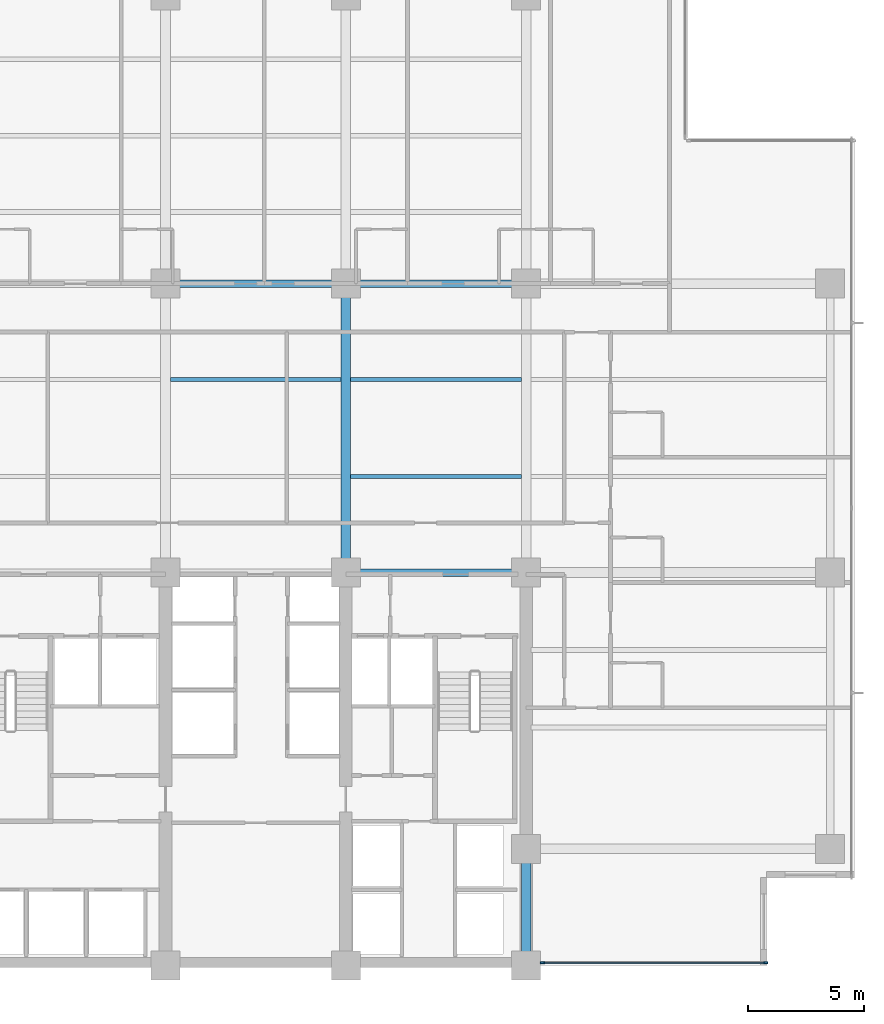
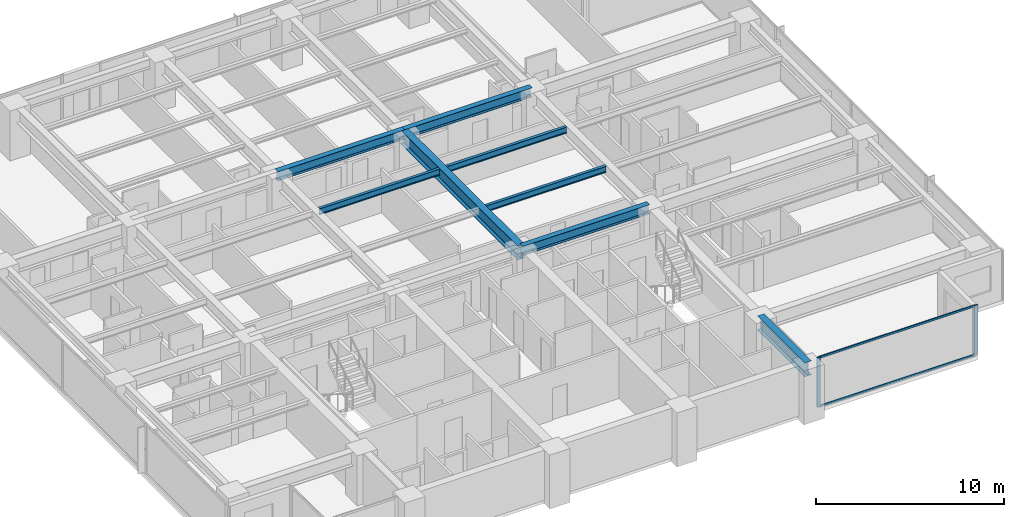
# One storey, part 3 of 17: 8 beams, 4 members, 1 element without a shape of its own.
"""IFC4 building model written with IfcOpenShell, lengths in metres."""

from ifc_helpers import new_model, si_unit, direction, frame, origin, origin_2d, place, context, subcontext, project, spatial, rectangle, i_section, extrude, material, layer, layer_set, material_profile, profile_set, type_object, element, aggregate, save


model = new_model("IFC4")

# Units and contexts
model_context = context("Model", 3, precision=1e-05, world=origin(), true_north=direction((0.0, 1.0)))
body_context = subcontext(model_context, "Body", "Model", "MODEL_VIEW")
ifc_project = project(units=[si_unit("LENGTHUNIT", "METRE"), si_unit("AREAUNIT", "SQUARE_METRE"), si_unit("VOLUMEUNIT", "CUBIC_METRE"), si_unit("PLANEANGLEUNIT", "RADIAN"), si_unit("MASSUNIT", "GRAM", prefix="KILO")], contexts=[model_context])

# Site, building, storey
site_placement = place(None, origin())
site = spatial("IfcSite", under=ifc_project, at=site_placement, CompositionType="ELEMENT")
building_placement = place(site_placement, origin())
building = spatial("IfcBuilding", under=site, at=building_placement, Name="Qalmaran Belvedere Hotel", CompositionType="ELEMENT")
storey_placement = place(building_placement, frame((0.0, 0.0, 105.699951171875)))
storey = spatial("IfcBuildingStorey", under=building, at=storey_placement, Name="L26", CompositionType="ELEMENT", Elevation=105.699951171875)

# Beams
ifc_material_1 = material(Name="Steel S355JR", Category="steel")
ifc_material_profile_1 = material_profile(ifc_material_1, i_section(OverallWidth=0.41796875, OverallDepth=0.912109375, WebThickness=0.019287109375, FlangeThickness=0.031982421875, FilletRadius=0.02392578125, at=origin_2d()), Name="W920X342")
ifc_profile_set_1 = profile_set([ifc_material_profile_1], Name="Steel S355JR")
beam_type_1 = type_object("IfcBeamType", Name="BM-PG2-W920X342", PredefinedType="USERDEFINED", material=ifc_profile_set_1)
beam_1_placement = place(storey_placement, frame((37.0, 20.5, 2.783935546875), z_axis=(0.0, 1.0, 0.0), x_axis=(-1.0, 0.0, 0.0)))
element("IfcBeam", 1, at=beam_1_placement, inside=storey, type_object=beam_type_1, Name="L26 Mid-Plate N-S Girder 18", ObjectType="GIRDER", PredefinedType="USERDEFINED", context=body_context, shape_type="SweptSolid", body=[
    extrude(i_section(OverallWidth=0.41796875, OverallDepth=0.912109375, WebThickness=0.019287109375, FlangeThickness=0.031982421875, FilletRadius=0.02392578125, at=origin_2d()), origin(), (0.0, 0.0, 1.0), 12.5),
])
beam_2_placement = place(storey_placement, frame((44.800048828125, 3.5, 2.783935546875), z_axis=(0.0, 1.0, 0.0), x_axis=(-1.0, 0.0, 0.0)))
element("IfcBeam", 2, at=beam_2_placement, inside=storey, type_object=beam_type_1, Name="L26 East Core Edge Girder A", ObjectType="GIRDER", PredefinedType="USERDEFINED", context=body_context, shape_type="SweptSolid", body=[
    extrude(i_section(OverallWidth=0.41796875, OverallDepth=0.912109375, WebThickness=0.019287109375, FlangeThickness=0.031982421875, FilletRadius=0.02392578125, at=origin_2d()), origin(), (0.0, 0.0, 1.0), 5.050048828125),
])
ifc_material_profile_2 = material_profile(ifc_material_1, i_section(OverallWidth=0.177978515625, OverallDepth=0.406982421875, WebThickness=0.0078125, FlangeThickness=0.0126953125, FilletRadius=0.014892578125, at=origin_2d()), Name="W410X60")
ifc_profile_set_2 = profile_set([ifc_material_profile_2], Name="Steel S355JR")
beam_type_2 = type_object("IfcBeamType", Name="BM-SB2-W410X60", PredefinedType="BEAM", material=ifc_profile_set_2)
for number, where, z_axis, x_axis, name in (
    (3, (37.20703125, 24.64990234375, 3.03662109375), (1.0, 0.0, 0.0), (0.0, 1.0, 0.0), "L26 Secondary Floor Beam 031"),
    (4, (29.406982421875, 28.85009765625, 3.03662109375), (1.0, 0.0, 0.0), (0.0, 1.0, 0.0), "L26 Secondary Floor Beam 035"),
    (5, (37.20703125, 28.85009765625, 3.03662109375), (1.0, 0.0, 0.0), (0.0, 1.0, 0.0), "L26 Secondary Floor Beam 036"),
):
    element("IfcBeam", number, at=place(storey_placement, frame(where, z_axis=z_axis, x_axis=x_axis)), inside=storey, type_object=beam_type_2, Name=name, PredefinedType="BEAM", context=body_context, shape_type="SweptSolid", body=[
        extrude(i_section(OverallWidth=0.177978515625, OverallDepth=0.406982421875, WebThickness=0.0078125, FlangeThickness=0.0126953125, FilletRadius=0.014892578125, at=origin_2d()), origin(), (0.0, 0.0, 1.0), 7.385986328125),
    ])
ifc_material_profile_3 = material_profile(ifc_material_1, i_section(OverallWidth=0.323974609375, OverallDepth=0.611083984375, WebThickness=0.0126953125, FlangeThickness=0.01904296875, FilletRadius=0.02001953125, at=origin_2d()), Name="W610X155")
ifc_profile_set_3 = profile_set([ifc_material_profile_3], Name="Steel S355JR")
beam_type_3 = type_object("IfcBeamType", Name="BM-Z2-W610X155", PredefinedType="USERDEFINED", material=ifc_profile_set_3)
for number, where, z_axis, x_axis, name in (
    (6, (37.0, 20.5, 2.9345703125), (1.0, 0.0, 0.0), (0.0, 1.0, 0.0), "L26 Interior E-W Girder 10"),
    (7, (29.199951171875, 33.0, 2.9345703125), (1.0, 0.0, 0.0), (0.0, 1.0, 0.0), "L26 Interior E-W Girder 12"),
    (8, (37.0, 33.0, 2.9345703125), (1.0, 0.0, 0.0), (0.0, 1.0, 0.0), "L26 Interior E-W Girder 13"),
):
    element("IfcBeam", number, at=place(storey_placement, frame(where, z_axis=z_axis, x_axis=x_axis)), inside=storey, type_object=beam_type_3, Name=name, ObjectType="GIRDER", PredefinedType="USERDEFINED", context=body_context, shape_type="SweptSolid", body=[
        extrude(i_section(OverallWidth=0.323974609375, OverallDepth=0.611083984375, WebThickness=0.0126953125, FlangeThickness=0.01904296875, FilletRadius=0.02001953125, at=origin_2d()), origin(), (0.0, 0.0, 1.0), 7.800048828125),
    ])

# Curtain wall, members
ifc_material_2 = material(Name="Anodised Bronze Aluminium", Category="aluminium")
ifc_layer = layer(ifc_material_2, 0.199951171875, Name="Anodised Bronze Aluminium")
ifc_layer_set = layer_set([ifc_layer], Name="Anodised Bronze Aluminium")
curtain_wall_type = type_object("IfcCurtainWallType", Name="CW3-TOWER-LOWMID", PredefinedType="NOTDEFINED", material=ifc_layer_set)
curtain_wall_placement = place(storey_placement, origin())
curtain_wall = element("IfcCurtainWall", 9, at=curtain_wall_placement, inside=storey, type_object=curtain_wall_type, Name="L26 Curtain Wall CW3", PredefinedType="NOTDEFINED")
ifc_material_profile_4 = material_profile(ifc_material_2, rectangle(XDim=0.070068359375, YDim=0.18994140625, at=origin_2d()), Name="CWM70X190")
ifc_profile_set_4 = profile_set([ifc_material_profile_4], Name="Anodised Bronze Aluminium")
member_type_1 = type_object("IfcMemberType", Name="CWM-70X190", PredefinedType="MULLION", material=ifc_profile_set_4)
member_1_placement = place(storey_placement, frame((45.5, 3.6201171875, 0.0), z_axis=(0.0, 0.0, 1.0), x_axis=(0.0, 1.0, 0.0)))
member_1 = element("IfcMember", 10, at=member_1_placement, type_object=member_type_1, Name="CW3 mullion 1", PredefinedType="MULLION", context=body_context, shape_type="SweptSolid", body=[
    extrude(rectangle(XDim=0.070068359375, YDim=0.18994140625, at=origin_2d()), origin(), (0.0, 0.0, 1.0), 3.239990234375),
])
member_2_placement = place(storey_placement, frame((55.1650390625, 3.6201171875, 0.0), z_axis=(0.0, 0.0, 1.0), x_axis=(0.0, 1.0, 0.0)))
member_2 = element("IfcMember", 11, at=member_2_placement, type_object=member_type_1, Name="CW3 mullion 2", PredefinedType="MULLION", context=body_context, shape_type="SweptSolid", body=[
    extrude(rectangle(XDim=0.070068359375, YDim=0.18994140625, at=origin_2d()), origin(), (0.0, 0.0, 1.0), 3.239990234375),
])
ifc_material_profile_5 = material_profile(ifc_material_2, rectangle(XDim=0.06494140625, YDim=0.1298828125, at=origin_2d()), Name="CWT65X130")
ifc_profile_set_5 = profile_set([ifc_material_profile_5], Name="Anodised Bronze Aluminium")
member_type_2 = type_object("IfcMemberType", Name="CWT-65X130", PredefinedType="USERDEFINED", material=ifc_profile_set_5)
member_3_placement = place(storey_placement, frame((45.534912109375, 3.6201171875, 0.032470703125), z_axis=(1.0, 0.0, 0.0), x_axis=(0.0, 1.0, 0.0)))
member_3 = element("IfcMember", 12, at=member_3_placement, type_object=member_type_2, Name="CW3 transom 1.1", ObjectType="TRANSOM", PredefinedType="USERDEFINED", context=body_context, shape_type="SweptSolid", body=[
    extrude(rectangle(XDim=0.06494140625, YDim=0.1298828125, at=origin_2d()), origin(), (0.0, 0.0, 1.0), 9.594970703125),
])
member_4_placement = place(storey_placement, frame((45.534912109375, 3.6201171875, 3.20751953125), z_axis=(1.0, 0.0, 0.0), x_axis=(0.0, 1.0, 0.0)))
member_4 = element("IfcMember", 13, at=member_4_placement, type_object=member_type_2, Name="CW3 transom 1.2", ObjectType="TRANSOM", PredefinedType="USERDEFINED", context=body_context, shape_type="SweptSolid", body=[
    extrude(rectangle(XDim=0.06494140625, YDim=0.1298828125, at=origin_2d()), origin(), (0.0, 0.0, 1.0), 9.594970703125),
])
aggregate(curtain_wall, [member_1, member_2, member_3, member_4])

save(model, "model.ifc")
